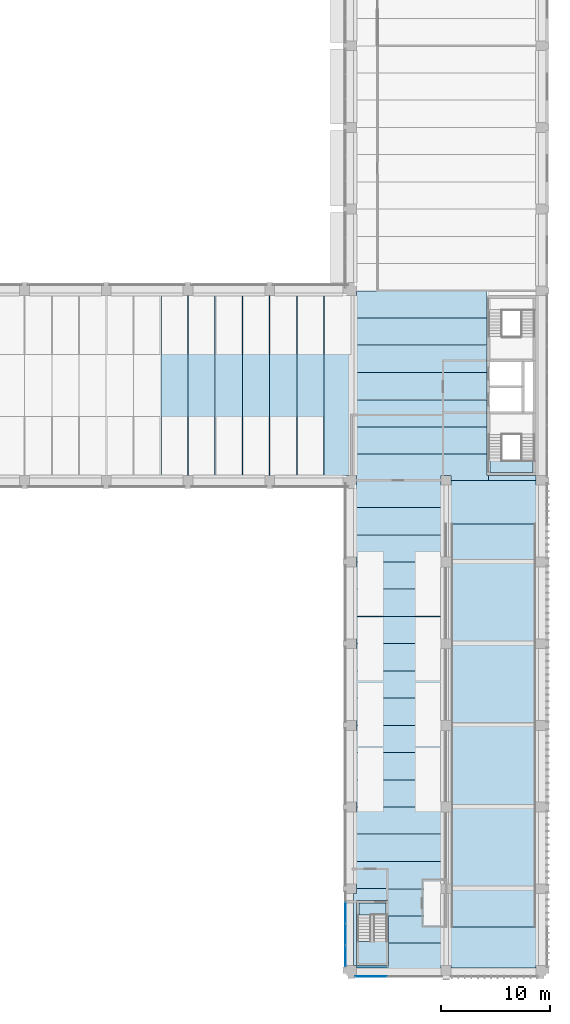
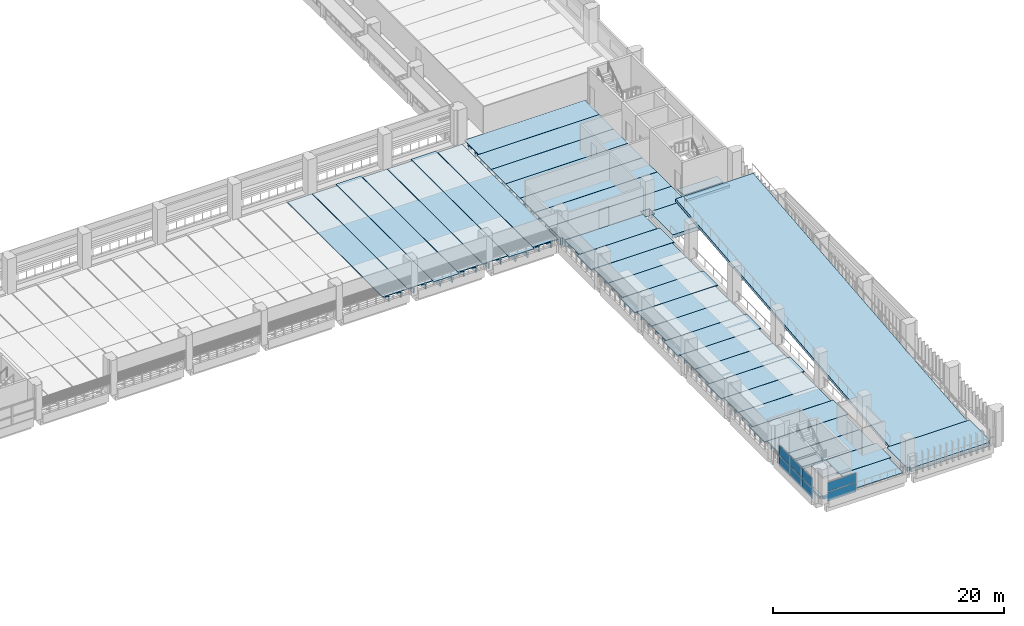
# One storey, part 26 of 57: 41 slabs, 8 plates, 3 elements without a shape of their own.
"""IFC4 building model written with IfcOpenShell, lengths in metres."""

from ifc_helpers import new_model, si_unit, direction, frame, origin, origin_2d, place, context, subcontext, project, spatial, polyline, rectangle, outline, extrude, material, layer, layer_set, material_profile, profile_set, type_object, element, aggregate, save


model = new_model("IFC4")

# Units and contexts
model_context = context("Model", 3, precision=1e-05, world=origin(), true_north=direction((0.0, 1.0)))
body_context = subcontext(model_context, "Body", "Model", "MODEL_VIEW")
ifc_project = project(units=[si_unit("LENGTHUNIT", "METRE"), si_unit("AREAUNIT", "SQUARE_METRE"), si_unit("VOLUMEUNIT", "CUBIC_METRE"), si_unit("PLANEANGLEUNIT", "RADIAN"), si_unit("MASSUNIT", "GRAM", prefix="KILO")], contexts=[model_context])

# Site, building, storey
site_placement = place(None, origin())
site = spatial("IfcSite", under=ifc_project, at=site_placement, CompositionType="ELEMENT")
building_placement = place(site_placement, origin())
building = spatial("IfcBuilding", under=site, at=building_placement, Name="Cour d'Honneur Mobility Palace", CompositionType="ELEMENT")
storey_placement = place(building_placement, frame((0.0, 0.0, 8.199951171875)))
storey = spatial("IfcBuildingStorey", under=building, at=storey_placement, Name="L02", CompositionType="ELEMENT", Elevation=8.199951171875)

# Slabs
ifc_material_1 = material(Name="Concrete C50", Category="concrete")
ifc_layer_1 = layer(ifc_material_1, 0.25)
ifc_layer_set_1 = layer_set([ifc_layer_1], Name="Concrete C50")
slab_type_1 = type_object("IfcSlabType", Name="Cast-in-place Slab 250", PredefinedType="FLOOR", material=ifc_layer_set_1)
slab_1_placement = place(storey_placement, frame((0.0, 0.0, -0.25)))
element("IfcSlab", 1, at=slab_1_placement, inside=storey, type_object=slab_type_1, Name="Cast-in-place slab S1 L02 core", PredefinedType="FLOOR", context=body_context, shape_type="SweptSolid", body=[
    extrude(outline(polyline([(161.85009765625, 45.0), (157.5, 45.0), (157.5, 45.449951171875), (161.85009765625, 45.449951171875), (161.85009765625, 45.0)])), origin(), (0.0, 0.0, 1.0), 0.25),
])
slab_2_placement = place(storey_placement, frame((0.0, 0.0, -0.25)))
element("IfcSlab", 2, at=slab_2_placement, inside=storey, type_object=slab_type_1, Name="Cast-in-place slab S1 L02 core", PredefinedType="FLOOR", context=body_context, shape_type="SweptSolid", body=[
    extrude(outline(polyline([(157.625, 46.77490234375), (161.60009765625, 46.77490234375), (161.60009765625, 45.699951171875), (157.625, 45.699951171875), (157.625, 46.77490234375)])), origin(), (0.0, 0.0, 1.0), 0.25),
])
slab_3_placement = place(storey_placement, frame((0.0, 0.0, -0.25)))
element("IfcSlab", 3, at=slab_3_placement, inside=storey, type_object=slab_type_1, Name="Cast-in-place slab S1 L02 stair strip", PredefinedType="FLOOR", context=body_context, shape_type="SweptSolid", body=[
    extrude(outline(polyline([(145.35009765625, 0.449951171875), (148.199951171875, 0.449951171875), (148.199951171875, 0.22509765625), (145.35009765625, 0.22509765625), (145.35009765625, 0.449951171875)])), origin(), (0.0, 0.0, 1.0), 0.25),
])
slab_4_placement = place(storey_placement, frame((0.0, 0.0, -0.25)))
element("IfcSlab", 4, at=slab_4_placement, inside=storey, type_object=slab_type_1, Name="Cast-in-place slab S1 L02 stair strip", PredefinedType="FLOOR", context=body_context, shape_type="SweptSolid", body=[
    extrude(outline(polyline([(145.35009765625, 6.425048828125), (145.35009765625, 0.449951171875), (145.10009765625, 0.449951171875), (145.10009765625, 7.050048828125), (145.35009765625, 7.050048828125), (145.35009765625, 7.5), (148.199951171875, 7.5), (148.199951171875, 6.425048828125), (145.35009765625, 6.425048828125)])), origin(), (0.0, 0.0, 1.0), 0.25),
])
slab_5_placement = place(storey_placement, frame((0.0, 0.0, -0.25)))
element("IfcSlab", 5, at=slab_5_placement, inside=storey, type_object=slab_type_1, Name="Cast-in-place slab S1 L02 stair strip", PredefinedType="FLOOR", context=body_context, shape_type="SweptSolid", body=[
    extrude(outline(polyline([(145.60009765625, 5.10009765625), (145.60009765625, 6.175048828125), (148.074951171875, 6.175048828125), (148.074951171875, 5.10009765625), (145.60009765625, 5.10009765625)])), origin(), (0.0, 0.0, 1.0), 0.25),
])
ifc_material_2 = material(Name="Concrete C50", Category="concrete")
ifc_layer_2 = layer(ifc_material_2, 0.39990234375)
ifc_layer_set_2 = layer_set([ifc_layer_2], Name="Concrete C50")
slab_type_2 = type_object("IfcSlabType", Name="Cast-in-place Slab 400", PredefinedType="LANDING", material=ifc_layer_set_2)
slab_6_placement = place(storey_placement, frame((0.0, 0.0, -0.39990234375)))
element("IfcSlab", 6, at=slab_6_placement, inside=storey, type_object=slab_type_2, Name="Cast-in-place slab S3 L02 landing", PredefinedType="LANDING", context=body_context, shape_type="SweptSolid", body=[
    extrude(outline(polyline([(161.85009765625, 0.449951171875), (161.85009765625, 0.22509765625), (154.050048828125, 0.22509765625), (154.050048828125, 0.449951171875), (153.800048828125, 0.449951171875), (153.800048828125, 4.0), (162.10009765625, 4.0), (162.10009765625, 0.449951171875), (161.85009765625, 0.449951171875)])), origin(), (0.0, 0.0, 1.0), 0.39990234375),
])
slab_7_placement = place(storey_placement, frame((0.0, 0.0, -0.39990234375)))
element("IfcSlab", 7, at=slab_7_placement, inside=storey, type_object=slab_type_2, Name="Cast-in-place slab S3 L02 landing", PredefinedType="LANDING", context=body_context, shape_type="SweptSolid", body=[
    extrude(outline(polyline([(162.10009765625, 44.550048828125), (162.10009765625, 41.0), (153.800048828125, 41.0), (153.800048828125, 44.550048828125), (154.050048828125, 44.550048828125), (154.050048828125, 45.0), (161.85009765625, 45.0), (161.85009765625, 44.550048828125), (162.10009765625, 44.550048828125)])), origin(), (0.0, 0.0, 1.0), 0.39990234375),
])
ifc_material_3 = material(Name="Concrete C50", Category="concrete")
ifc_layer_3 = layer(ifc_material_3, 0.800048828125)
ifc_layer_set_3 = layer_set([ifc_layer_3], Name="Concrete C50")
slab_type_3 = type_object("IfcSlabType", Name="Cast-in-place Slab 800", PredefinedType="FLOOR", material=ifc_layer_set_3)
slab_8_placement = place(storey_placement, frame((0.0, 0.0, -0.800048828125)))
element("IfcSlab", 8, at=slab_8_placement, inside=storey, type_object=slab_type_3, Name="Cast-in-place slab S2 L02 closure", PredefinedType="FLOOR", context=body_context, shape_type="SweptSolid", body=[
    extrude(outline(polyline([(154.050048828125, 45.449951171875), (153.14990234375, 45.449951171875), (153.14990234375, 45.0), (145.35009765625, 45.0), (145.35009765625, 45.449951171875), (145.14990234375, 45.449951171875), (145.14990234375, 47.39990234375), (157.375, 47.39990234375), (157.375, 45.449951171875), (157.5, 45.449951171875), (157.5, 45.0), (154.050048828125, 45.0), (154.050048828125, 45.449951171875)])), origin(), (0.0, 0.0, 1.0), 0.800048828125),
])

# Curtain wall, plates
ifc_material_4 = material(Name="Aluminium and glass", Category="aluminium")
ifc_layer_4 = layer(ifc_material_4, 0.10009765625)
ifc_layer_set_4 = layer_set([ifc_layer_4], Name="Aluminium and glass")
curtain_wall_type = type_object("IfcCurtainWallType", Name="Curtain wall run", PredefinedType="NOTDEFINED", material=ifc_layer_set_4)
curtain_wall_1_placement = place(storey_placement, origin())
curtain_wall_1 = element("IfcCurtainWall", 9, at=curtain_wall_1_placement, inside=storey, type_object=curtain_wall_type, Name="Curtain wall CW-137", PredefinedType="NOTDEFINED")
ifc_material_5 = material(Name="Double glazing", Category="glass")
ifc_layer_5 = layer(ifc_material_5, 0.028076171875)
ifc_layer_set_5 = layer_set([ifc_layer_5], Name="Double glazing")
plate_type = type_object("IfcPlateType", Name="Curtain wall panel", PredefinedType="CURTAIN_PANEL", material=ifc_layer_set_5)
plate_1_placement = place(storey_placement, frame((144.35009765625, 5.284912109375, 0.06005859375), z_axis=(0.0, 0.0, 1.0), x_axis=(0.0, -1.0, 0.0)))
plate_1 = element("IfcPlate", 10, at=plate_1_placement, type_object=plate_type, Name="CW-137 panel 1.1", PredefinedType="CURTAIN_PANEL", context=body_context, shape_type="SweptSolid", body=[
    extrude(rectangle(XDim=1.909912109375, YDim=0.028076171875, at=origin_2d()), origin(), (0.0, 0.0, 1.0), 1.06005859375),
])
plate_2_placement = place(storey_placement, frame((144.35009765625, 5.284912109375, 1.179931640625), z_axis=(0.0, 0.0, 1.0), x_axis=(0.0, -1.0, 0.0)))
plate_2 = element("IfcPlate", 11, at=plate_2_placement, type_object=plate_type, Name="CW-137 panel 1.2", PredefinedType="CURTAIN_PANEL", context=body_context, shape_type="SweptSolid", body=[
    extrude(rectangle(XDim=1.909912109375, YDim=0.028076171875, at=origin_2d()), origin(), (0.0, 0.0, 1.0), 1.06005859375),
])
plate_3_placement = place(storey_placement, frame((144.35009765625, 3.300048828125, 0.06005859375), z_axis=(0.0, 0.0, 1.0), x_axis=(0.0, -1.0, 0.0)))
plate_3 = element("IfcPlate", 12, at=plate_3_placement, type_object=plate_type, Name="CW-137 panel 2.1", PredefinedType="CURTAIN_PANEL", context=body_context, shape_type="SweptSolid", body=[
    extrude(rectangle(XDim=1.93994140625, YDim=0.028076171875, at=origin_2d()), origin(), (0.0, 0.0, 1.0), 1.06005859375),
])
plate_4_placement = place(storey_placement, frame((144.35009765625, 3.300048828125, 1.179931640625), z_axis=(0.0, 0.0, 1.0), x_axis=(0.0, -1.0, 0.0)))
plate_4 = element("IfcPlate", 13, at=plate_4_placement, type_object=plate_type, Name="CW-137 panel 2.2", PredefinedType="CURTAIN_PANEL", context=body_context, shape_type="SweptSolid", body=[
    extrude(rectangle(XDim=1.93994140625, YDim=0.028076171875, at=origin_2d()), origin(), (0.0, 0.0, 1.0), 1.06005859375),
])
plate_5_placement = place(storey_placement, frame((144.35009765625, 1.31494140625, 0.06005859375), z_axis=(0.0, 0.0, 1.0), x_axis=(0.0, -1.0, 0.0)))
plate_5 = element("IfcPlate", 14, at=plate_5_placement, type_object=plate_type, Name="CW-137 panel 3.1", PredefinedType="CURTAIN_PANEL", context=body_context, shape_type="SweptSolid", body=[
    extrude(rectangle(XDim=1.909912109375, YDim=0.028076171875, at=origin_2d()), origin(), (0.0, 0.0, 1.0), 1.06005859375),
])
plate_6_placement = place(storey_placement, frame((144.35009765625, 1.31494140625, 1.179931640625), z_axis=(0.0, 0.0, 1.0), x_axis=(0.0, -1.0, 0.0)))
plate_6 = element("IfcPlate", 15, at=plate_6_placement, type_object=plate_type, Name="CW-137 panel 3.2", PredefinedType="CURTAIN_PANEL", context=body_context, shape_type="SweptSolid", body=[
    extrude(rectangle(XDim=1.909912109375, YDim=0.028076171875, at=origin_2d()), origin(), (0.0, 0.0, 1.0), 1.06005859375),
])
aggregate(curtain_wall_1, [plate_1, plate_2, plate_3, plate_4, plate_5, plate_6])

curtain_wall_2_placement = place(storey_placement, origin())
curtain_wall_2 = element("IfcCurtainWall", 16, at=curtain_wall_2_placement, inside=storey, type_object=curtain_wall_type, Name="Curtain wall CW-138", PredefinedType="NOTDEFINED")
plate_7_placement = place(storey_placement, frame((146.699951171875, -0.550048828125, 0.06005859375), z_axis=(0.0, 0.0, 1.0), x_axis=(1.0, 0.0, 0.0)))
plate_7 = element("IfcPlate", 17, at=plate_7_placement, type_object=plate_type, Name="CW-138 panel 1.1", PredefinedType="CURTAIN_PANEL", context=body_context, shape_type="SweptSolid", body=[
    extrude(rectangle(XDim=2.8798828125, YDim=0.028076171875, at=origin_2d()), origin(), (0.0, 0.0, 1.0), 0.9599609375),
])
plate_8_placement = place(storey_placement, frame((146.699951171875, -0.550048828125, 1.080078125), z_axis=(0.0, 0.0, 1.0), x_axis=(1.0, 0.0, 0.0)))
plate_8 = element("IfcPlate", 18, at=plate_8_placement, type_object=plate_type, Name="CW-138 panel 1.2", PredefinedType="CURTAIN_PANEL", context=body_context, shape_type="SweptSolid", body=[
    extrude(rectangle(XDim=2.8798828125, YDim=0.028076171875, at=origin_2d()), origin(), (0.0, 0.0, 1.0), 0.9599609375),
])
aggregate(curtain_wall_2, [plate_7, plate_8])

# Slabs
ifc_material_6 = material(Name="Concrete C45", Category="concrete")
ifc_material_profile_1 = material_profile(ifc_material_6, outline(polyline([(-1.2451171875, 0.0), (1.2451171875, 0.0), (1.2451171875, -0.074951171875), (0.659912109375, -0.074951171875), (0.639892578125, -0.39990234375), (0.56005859375, -0.39990234375), (0.5400390625, -0.074951171875), (-0.5400390625, -0.074951171875), (-0.56005859375, -0.39990234375), (-0.639892578125, -0.39990234375), (-0.659912109375, -0.074951171875), (-1.2451171875, -0.074951171875), (-1.2451171875, 0.0)])), Name="DT 2490x400")
ifc_profile_set_1 = profile_set([ifc_material_profile_1], Name="Concrete C45")
slab_type_4 = type_object("IfcSlabType", Name="DT 2490x400", PredefinedType="FLOOR", material=ifc_profile_set_1)
slab_9_placement = place(storey_placement, frame((148.324951171875, 1.25, 0.0), z_axis=(1.0, 0.0, 0.0), x_axis=(0.0, 1.0, 0.0)))
element("IfcSlab", 19, at=slab_9_placement, inside=storey, type_object=slab_type_4, Name="Double tee DT-SE1 L02", PredefinedType="FLOOR", context=body_context, shape_type="SweptSolid", body=[
    extrude(outline(polyline([(-1.2451171875, 0.0), (1.2451171875, 0.0), (1.2451171875, -0.074951171875), (0.659912109375, -0.074951171875), (0.639892578125, -0.39990234375), (0.56005859375, -0.39990234375), (0.5400390625, -0.074951171875), (-0.5400390625, -0.074951171875), (-0.56005859375, -0.39990234375), (-0.639892578125, -0.39990234375), (-0.659912109375, -0.074951171875), (-1.2451171875, -0.074951171875), (-1.2451171875, 0.0)])), origin(), (0.0, 0.0, 1.0), 4.824951171875),
])
slab_10_placement = place(storey_placement, frame((148.324951171875, 3.75, 0.0), z_axis=(1.0, 0.0, 0.0), x_axis=(0.0, 1.0, 0.0)))
element("IfcSlab", 20, at=slab_10_placement, inside=storey, type_object=slab_type_4, Name="Double tee DT-SE2 L02", PredefinedType="FLOOR", context=body_context, shape_type="SweptSolid", body=[
    extrude(outline(polyline([(-1.2451171875, 0.0), (1.2451171875, 0.0), (1.2451171875, -0.074951171875), (0.659912109375, -0.074951171875), (0.639892578125, -0.39990234375), (0.56005859375, -0.39990234375), (0.5400390625, -0.074951171875), (-0.5400390625, -0.074951171875), (-0.56005859375, -0.39990234375), (-0.639892578125, -0.39990234375), (-0.659912109375, -0.074951171875), (-1.2451171875, -0.074951171875), (-1.2451171875, 0.0)])), origin(), (0.0, 0.0, 1.0), 5.074951171875),
])
slab_11_placement = place(storey_placement, frame((148.199951171875, 6.25, 0.0), z_axis=(1.0, 0.0, 0.0), x_axis=(0.0, 1.0, 0.0)))
element("IfcSlab", 21, at=slab_11_placement, inside=storey, type_object=slab_type_4, Name="Double tee DT-SE3 L02", PredefinedType="FLOOR", context=body_context, shape_type="SweptSolid", body=[
    extrude(outline(polyline([(-1.2451171875, 0.0), (1.2451171875, 0.0), (1.2451171875, -0.074951171875), (0.659912109375, -0.074951171875), (0.639892578125, -0.39990234375), (0.56005859375, -0.39990234375), (0.5400390625, -0.074951171875), (-0.5400390625, -0.074951171875), (-0.56005859375, -0.39990234375), (-0.639892578125, -0.39990234375), (-0.659912109375, -0.074951171875), (-1.2451171875, -0.074951171875), (-1.2451171875, 0.0)])), origin(), (0.0, 0.0, 1.0), 4.949951171875),
])
ifc_material_7 = material(Name="Concrete C45", Category="concrete")
ifc_material_profile_2 = material_profile(ifc_material_7, outline(polyline([(-1.2451171875, 0.0), (1.2451171875, 0.0), (1.2451171875, -0.10009765625), (0.669921875, -0.10009765625), (0.64501953125, -0.5), (0.554931640625, -0.5), (0.530029296875, -0.10009765625), (-0.530029296875, -0.10009765625), (-0.554931640625, -0.5), (-0.64501953125, -0.5), (-0.669921875, -0.10009765625), (-1.2451171875, -0.10009765625), (-1.2451171875, 0.0)])), Name="DT 2490x500")
ifc_profile_set_2 = profile_set([ifc_material_profile_2], Name="Concrete C45")
slab_type_5 = type_object("IfcSlabType", Name="DT 2490x500", PredefinedType="FLOOR", material=ifc_profile_set_2)
slab_12_placement = place(storey_placement, frame((145.35009765625, 8.75, 0.0), z_axis=(1.0, 0.0, 0.0), x_axis=(0.0, 1.0, 0.0)))
element("IfcSlab", 22, at=slab_12_placement, inside=storey, type_object=slab_type_5, Name="Double tee DT-SE4 L02", PredefinedType="FLOOR", context=body_context, shape_type="SweptSolid", body=[
    extrude(outline(polyline([(-1.2451171875, 0.0), (1.2451171875, 0.0), (1.2451171875, -0.10009765625), (0.669921875, -0.10009765625), (0.64501953125, -0.5), (0.554931640625, -0.5), (0.530029296875, -0.10009765625), (-0.530029296875, -0.10009765625), (-0.554931640625, -0.5), (-0.64501953125, -0.5), (-0.669921875, -0.10009765625), (-1.2451171875, -0.10009765625), (-1.2451171875, 0.0)])), origin(), (0.0, 0.0, 1.0), 7.7998046875),
])
slab_13_placement = place(storey_placement, frame((145.10009765625, 11.25, 0.0), z_axis=(1.0, 0.0, 0.0), x_axis=(0.0, 1.0, 0.0)))
element("IfcSlab", 23, at=slab_13_placement, inside=storey, type_object=slab_type_5, Name="Double tee DT-SE5 L02", PredefinedType="FLOOR", context=body_context, shape_type="SweptSolid", body=[
    extrude(outline(polyline([(-1.2451171875, 0.0), (1.2451171875, 0.0), (1.2451171875, -0.10009765625), (0.669921875, -0.10009765625), (0.64501953125, -0.5), (0.554931640625, -0.5), (0.530029296875, -0.10009765625), (-0.530029296875, -0.10009765625), (-0.554931640625, -0.5), (-0.64501953125, -0.5), (-0.669921875, -0.10009765625), (-1.2451171875, -0.10009765625), (-1.2451171875, 0.0)])), origin(), (0.0, 0.0, 1.0), 8.2998046875),
])
for number, where, z_axis, x_axis, name in (
    (24, (145.35009765625, 13.75, 0.0), (1.0, 0.0, 0.0), (0.0, 1.0, 0.0), "Double tee DT-SE6 L02"),
    (25, (145.35009765625, 16.25, 0.0), (1.0, 0.0, 0.0), (0.0, 1.0, 0.0), "Double tee DT-SE7 L02"),
):
    element("IfcSlab", number, at=place(storey_placement, frame(where, z_axis=z_axis, x_axis=x_axis)), inside=storey, type_object=slab_type_5, Name=name, PredefinedType="FLOOR", context=body_context, shape_type="SweptSolid", body=[
        extrude(outline(polyline([(-1.2451171875, 0.0), (1.2451171875, 0.0), (1.2451171875, -0.10009765625), (0.669921875, -0.10009765625), (0.64501953125, -0.5), (0.554931640625, -0.5), (0.530029296875, -0.10009765625), (-0.530029296875, -0.10009765625), (-0.554931640625, -0.5), (-0.64501953125, -0.5), (-0.669921875, -0.10009765625), (-1.2451171875, -0.10009765625), (-1.2451171875, 0.0)])), origin(), (0.0, 0.0, 1.0), 7.7998046875),
    ])
slab_14_placement = place(storey_placement, frame((145.10009765625, 18.75, 0.0), z_axis=(1.0, 0.0, 0.0), x_axis=(0.0, 1.0, 0.0)))
element("IfcSlab", 26, at=slab_14_placement, inside=storey, type_object=slab_type_5, Name="Double tee DT-SE8 L02", PredefinedType="FLOOR", context=body_context, shape_type="SweptSolid", body=[
    extrude(outline(polyline([(-1.2451171875, 0.0), (1.2451171875, 0.0), (1.2451171875, -0.10009765625), (0.669921875, -0.10009765625), (0.64501953125, -0.5), (0.554931640625, -0.5), (0.530029296875, -0.10009765625), (-0.530029296875, -0.10009765625), (-0.554931640625, -0.5), (-0.64501953125, -0.5), (-0.669921875, -0.10009765625), (-1.2451171875, -0.10009765625), (-1.2451171875, 0.0)])), origin(), (0.0, 0.0, 1.0), 8.2998046875),
])
for number, where, z_axis, x_axis, name in (
    (27, (145.35009765625, 21.25, 0.0), (1.0, 0.0, 0.0), (0.0, 1.0, 0.0), "Double tee DT-SE9 L02"),
    (28, (145.35009765625, 23.75, 0.0), (1.0, 0.0, 0.0), (0.0, 1.0, 0.0), "Double tee DT-SE10 L02"),
):
    element("IfcSlab", number, at=place(storey_placement, frame(where, z_axis=z_axis, x_axis=x_axis)), inside=storey, type_object=slab_type_5, Name=name, PredefinedType="FLOOR", context=body_context, shape_type="SweptSolid", body=[
        extrude(outline(polyline([(-1.2451171875, 0.0), (1.2451171875, 0.0), (1.2451171875, -0.10009765625), (0.669921875, -0.10009765625), (0.64501953125, -0.5), (0.554931640625, -0.5), (0.530029296875, -0.10009765625), (-0.530029296875, -0.10009765625), (-0.554931640625, -0.5), (-0.64501953125, -0.5), (-0.669921875, -0.10009765625), (-1.2451171875, -0.10009765625), (-1.2451171875, 0.0)])), origin(), (0.0, 0.0, 1.0), 7.7998046875),
    ])
slab_15_placement = place(storey_placement, frame((145.10009765625, 26.25, 0.0), z_axis=(1.0, 0.0, 0.0), x_axis=(0.0, 1.0, 0.0)))
element("IfcSlab", 29, at=slab_15_placement, inside=storey, type_object=slab_type_5, Name="Double tee DT-SE11 L02", PredefinedType="FLOOR", context=body_context, shape_type="SweptSolid", body=[
    extrude(outline(polyline([(-1.2451171875, 0.0), (1.2451171875, 0.0), (1.2451171875, -0.10009765625), (0.669921875, -0.10009765625), (0.64501953125, -0.5), (0.554931640625, -0.5), (0.530029296875, -0.10009765625), (-0.530029296875, -0.10009765625), (-0.554931640625, -0.5), (-0.64501953125, -0.5), (-0.669921875, -0.10009765625), (-1.2451171875, -0.10009765625), (-1.2451171875, 0.0)])), origin(), (0.0, 0.0, 1.0), 8.2998046875),
])
for number, where, z_axis, x_axis, name in (
    (30, (145.35009765625, 28.75, 0.0), (1.0, 0.0, 0.0), (0.0, 1.0, 0.0), "Double tee DT-SE12 L02"),
    (31, (145.35009765625, 31.25, 0.0), (1.0, 0.0, 0.0), (0.0, 1.0, 0.0), "Double tee DT-SE13 L02"),
):
    element("IfcSlab", number, at=place(storey_placement, frame(where, z_axis=z_axis, x_axis=x_axis)), inside=storey, type_object=slab_type_5, Name=name, PredefinedType="FLOOR", context=body_context, shape_type="SweptSolid", body=[
        extrude(outline(polyline([(-1.2451171875, 0.0), (1.2451171875, 0.0), (1.2451171875, -0.10009765625), (0.669921875, -0.10009765625), (0.64501953125, -0.5), (0.554931640625, -0.5), (0.530029296875, -0.10009765625), (-0.530029296875, -0.10009765625), (-0.554931640625, -0.5), (-0.64501953125, -0.5), (-0.669921875, -0.10009765625), (-1.2451171875, -0.10009765625), (-1.2451171875, 0.0)])), origin(), (0.0, 0.0, 1.0), 7.7998046875),
    ])
slab_16_placement = place(storey_placement, frame((145.10009765625, 33.75, 0.0), z_axis=(1.0, 0.0, 0.0), x_axis=(0.0, 1.0, 0.0)))
element("IfcSlab", 32, at=slab_16_placement, inside=storey, type_object=slab_type_5, Name="Double tee DT-SE14 L02", PredefinedType="FLOOR", context=body_context, shape_type="SweptSolid", body=[
    extrude(outline(polyline([(-1.2451171875, 0.0), (1.2451171875, 0.0), (1.2451171875, -0.10009765625), (0.669921875, -0.10009765625), (0.64501953125, -0.5), (0.554931640625, -0.5), (0.530029296875, -0.10009765625), (-0.530029296875, -0.10009765625), (-0.554931640625, -0.5), (-0.64501953125, -0.5), (-0.669921875, -0.10009765625), (-1.2451171875, -0.10009765625), (-1.2451171875, 0.0)])), origin(), (0.0, 0.0, 1.0), 8.2998046875),
])
for number, where, z_axis, x_axis, name in (
    (33, (145.35009765625, 36.25, 0.0), (1.0, 0.0, 0.0), (0.0, 1.0, 0.0), "Double tee DT-SE15 L02"),
    (34, (145.35009765625, 38.75, 0.0), (1.0, 0.0, 0.0), (0.0, 1.0, 0.0), "Double tee DT-SE16 L02"),
):
    element("IfcSlab", number, at=place(storey_placement, frame(where, z_axis=z_axis, x_axis=x_axis)), inside=storey, type_object=slab_type_5, Name=name, PredefinedType="FLOOR", context=body_context, shape_type="SweptSolid", body=[
        extrude(outline(polyline([(-1.2451171875, 0.0), (1.2451171875, 0.0), (1.2451171875, -0.10009765625), (0.669921875, -0.10009765625), (0.64501953125, -0.5), (0.554931640625, -0.5), (0.530029296875, -0.10009765625), (-0.530029296875, -0.10009765625), (-0.554931640625, -0.5), (-0.64501953125, -0.5), (-0.669921875, -0.10009765625), (-1.2451171875, -0.10009765625), (-1.2451171875, 0.0)])), origin(), (0.0, 0.0, 1.0), 7.7998046875),
    ])
slab_17_placement = place(storey_placement, frame((145.10009765625, 41.25, 0.0), z_axis=(1.0, 0.0, 0.0), x_axis=(0.0, 1.0, 0.0)))
element("IfcSlab", 35, at=slab_17_placement, inside=storey, type_object=slab_type_5, Name="Double tee DT-SE17 L02", PredefinedType="FLOOR", context=body_context, shape_type="SweptSolid", body=[
    extrude(outline(polyline([(-1.2451171875, 0.0), (1.2451171875, 0.0), (1.2451171875, -0.10009765625), (0.669921875, -0.10009765625), (0.64501953125, -0.5), (0.554931640625, -0.5), (0.530029296875, -0.10009765625), (-0.530029296875, -0.10009765625), (-0.554931640625, -0.5), (-0.64501953125, -0.5), (-0.669921875, -0.10009765625), (-1.2451171875, -0.10009765625), (-1.2451171875, 0.0)])), origin(), (0.0, 0.0, 1.0), 8.2998046875),
])
slab_18_placement = place(storey_placement, frame((145.35009765625, 43.75, 0.0), z_axis=(1.0, 0.0, 0.0), x_axis=(0.0, 1.0, 0.0)))
element("IfcSlab", 36, at=slab_18_placement, inside=storey, type_object=slab_type_5, Name="Double tee DT-SE18 L02", PredefinedType="FLOOR", context=body_context, shape_type="SweptSolid", body=[
    extrude(outline(polyline([(-1.2451171875, 0.0), (1.2451171875, 0.0), (1.2451171875, -0.10009765625), (0.669921875, -0.10009765625), (0.64501953125, -0.5), (0.554931640625, -0.5), (0.530029296875, -0.10009765625), (-0.530029296875, -0.10009765625), (-0.554931640625, -0.5), (-0.64501953125, -0.5), (-0.669921875, -0.10009765625), (-1.2451171875, -0.10009765625), (-1.2451171875, 0.0)])), origin(), (0.0, 0.0, 1.0), 7.7998046875),
])
ifc_material_8 = material(Name="Concrete C45", Category="concrete")
ifc_material_profile_3 = material_profile(ifc_material_8, outline(polyline([(-1.2451171875, 0.0), (1.2451171875, 0.0), (1.2451171875, -0.10009765625), (0.679931640625, -0.10009765625), (0.64990234375, -0.64990234375), (0.550048828125, -0.64990234375), (0.52001953125, -0.10009765625), (-0.52001953125, -0.10009765625), (-0.550048828125, -0.64990234375), (-0.64990234375, -0.64990234375), (-0.679931640625, -0.10009765625), (-1.2451171875, -0.10009765625), (-1.2451171875, 0.0)])), Name="DT 2490x650")
ifc_profile_set_3 = profile_set([ifc_material_profile_3], Name="Concrete C45")
slab_type_6 = type_object("IfcSlabType", Name="DT 2490x650", PredefinedType="FLOOR", material=ifc_profile_set_3)
for number, where, z_axis, x_axis, name in (
    (37, (145.14990234375, 48.64990234375, 0.0), (1.0, 0.0, 0.0), (0.0, 1.0, 0.0), "Double tee DT-JE1 L02"),
    (38, (145.14990234375, 51.14990234375, 0.0), (1.0, 0.0, 0.0), (0.0, 1.0, 0.0), "Double tee DT-JE2 L02"),
    (39, (145.14990234375, 53.64990234375, 0.0), (1.0, 0.0, 0.0), (0.0, 1.0, 0.0), "Double tee DT-JE3 L02"),
    (40, (145.14990234375, 56.14990234375, 0.0), (1.0, 0.0, 0.0), (0.0, 1.0, 0.0), "Double tee DT-JE4 L02"),
    (41, (145.14990234375, 58.64990234375, 0.0), (1.0, 0.0, 0.0), (0.0, 1.0, 0.0), "Double tee DT-JE5 L02"),
):
    element("IfcSlab", number, at=place(storey_placement, frame(where, z_axis=z_axis, x_axis=x_axis)), inside=storey, type_object=slab_type_6, Name=name, PredefinedType="FLOOR", context=body_context, shape_type="SweptSolid", body=[
        extrude(outline(polyline([(-1.2451171875, 0.0), (1.2451171875, 0.0), (1.2451171875, -0.10009765625), (0.679931640625, -0.10009765625), (0.64990234375, -0.64990234375), (0.550048828125, -0.64990234375), (0.52001953125, -0.10009765625), (-0.52001953125, -0.10009765625), (-0.550048828125, -0.64990234375), (-0.64990234375, -0.64990234375), (-0.679931640625, -0.10009765625), (-1.2451171875, -0.10009765625), (-1.2451171875, 0.0)])), origin(), (0.0, 0.0, 1.0), 12.22509765625),
    ])
slab_19_placement = place(storey_placement, frame((145.35009765625, 61.14990234375, 0.0), z_axis=(1.0, 0.0, 0.0), x_axis=(0.0, 1.0, 0.0)))
element("IfcSlab", 42, at=slab_19_placement, inside=storey, type_object=slab_type_6, Name="Double tee DT-JE6 L02", PredefinedType="FLOOR", context=body_context, shape_type="SweptSolid", body=[
    extrude(outline(polyline([(-1.2451171875, 0.0), (1.2451171875, 0.0), (1.2451171875, -0.10009765625), (0.679931640625, -0.10009765625), (0.64990234375, -0.64990234375), (0.550048828125, -0.64990234375), (0.52001953125, -0.10009765625), (-0.52001953125, -0.10009765625), (-0.550048828125, -0.64990234375), (-0.64990234375, -0.64990234375), (-0.679931640625, -0.10009765625), (-1.2451171875, -0.10009765625), (-1.2451171875, 0.0)])), origin(), (0.0, 0.0, 1.0), 12.02490234375),
])
ifc_material_9 = material(Name="Concrete C45", Category="concrete")
ifc_material_profile_4 = material_profile(ifc_material_9, outline(polyline([(-1.2451171875, 0.0), (1.2451171875, 0.0), (1.2451171875, -0.10009765625), (0.679931640625, -0.10009765625), (0.64990234375, -0.75), (0.550048828125, -0.75), (0.52001953125, -0.10009765625), (-0.52001953125, -0.10009765625), (-0.550048828125, -0.75), (-0.64990234375, -0.75), (-0.679931640625, -0.10009765625), (-1.2451171875, -0.10009765625), (-1.2451171875, 0.0)])), Name="DT 2490x750")
ifc_profile_set_4 = profile_set([ifc_material_profile_4], Name="Concrete C45")
slab_type_7 = type_object("IfcSlabType", Name="DT 2490x750", PredefinedType="FLOOR", material=ifc_profile_set_4)
for number, where, z_axis, x_axis, name in (
    (43, (128.64990234375, 45.449951171875, 0.0), (0.0, 1.0, 0.0), (-1.0, 0.0, 0.0), "Double tee DT-C45 L02"),
    (44, (131.14990234375, 45.449951171875, 0.0), (0.0, 1.0, 0.0), (-1.0, 0.0, 0.0), "Double tee DT-C46 L02"),
):
    element("IfcSlab", number, at=place(storey_placement, frame(where, z_axis=z_axis, x_axis=x_axis)), inside=storey, type_object=slab_type_7, Name=name, PredefinedType="FLOOR", context=body_context, shape_type="SweptSolid", body=[
        extrude(outline(polyline([(-1.2451171875, 0.0), (1.2451171875, 0.0), (1.2451171875, -0.10009765625), (0.679931640625, -0.10009765625), (0.64990234375, -0.75), (0.550048828125, -0.75), (0.52001953125, -0.10009765625), (-0.52001953125, -0.10009765625), (-0.550048828125, -0.75), (-0.64990234375, -0.75), (-0.679931640625, -0.10009765625), (-1.2451171875, -0.10009765625), (-1.2451171875, 0.0)])), origin(), (0.0, 0.0, 1.0), 16.5),
    ])
slab_20_placement = place(storey_placement, frame((133.64990234375, 45.199951171875, 0.0), z_axis=(0.0, 1.0, 0.0), x_axis=(-1.0, 0.0, 0.0)))
element("IfcSlab", 45, at=slab_20_placement, inside=storey, type_object=slab_type_7, Name="Double tee DT-C47 L02", PredefinedType="FLOOR", context=body_context, shape_type="SweptSolid", body=[
    extrude(outline(polyline([(-1.2451171875, 0.0), (1.2451171875, 0.0), (1.2451171875, -0.10009765625), (0.679931640625, -0.10009765625), (0.64990234375, -0.75), (0.550048828125, -0.75), (0.52001953125, -0.10009765625), (-0.52001953125, -0.10009765625), (-0.550048828125, -0.75), (-0.64990234375, -0.75), (-0.679931640625, -0.10009765625), (-1.2451171875, -0.10009765625), (-1.2451171875, 0.0)])), origin(), (0.0, 0.0, 1.0), 17.0),
])
for number, where, z_axis, x_axis, name in (
    (46, (136.14990234375, 45.449951171875, 0.0), (0.0, 1.0, 0.0), (-1.0, 0.0, 0.0), "Double tee DT-C48 L02"),
    (47, (138.64990234375, 45.449951171875, 0.0), (0.0, 1.0, 0.0), (-1.0, 0.0, 0.0), "Double tee DT-C49 L02"),
):
    element("IfcSlab", number, at=place(storey_placement, frame(where, z_axis=z_axis, x_axis=x_axis)), inside=storey, type_object=slab_type_7, Name=name, PredefinedType="FLOOR", context=body_context, shape_type="SweptSolid", body=[
        extrude(outline(polyline([(-1.2451171875, 0.0), (1.2451171875, 0.0), (1.2451171875, -0.10009765625), (0.679931640625, -0.10009765625), (0.64990234375, -0.75), (0.550048828125, -0.75), (0.52001953125, -0.10009765625), (-0.52001953125, -0.10009765625), (-0.550048828125, -0.75), (-0.64990234375, -0.75), (-0.679931640625, -0.10009765625), (-1.2451171875, -0.10009765625), (-1.2451171875, 0.0)])), origin(), (0.0, 0.0, 1.0), 16.5),
    ])
slab_21_placement = place(storey_placement, frame((141.14990234375, 45.199951171875, 0.0), z_axis=(0.0, 1.0, 0.0), x_axis=(-1.0, 0.0, 0.0)))
element("IfcSlab", 48, at=slab_21_placement, inside=storey, type_object=slab_type_7, Name="Double tee DT-C50 L02", PredefinedType="FLOOR", context=body_context, shape_type="SweptSolid", body=[
    extrude(outline(polyline([(-1.2451171875, 0.0), (1.2451171875, 0.0), (1.2451171875, -0.10009765625), (0.679931640625, -0.10009765625), (0.64990234375, -0.75), (0.550048828125, -0.75), (0.52001953125, -0.10009765625), (-0.52001953125, -0.10009765625), (-0.550048828125, -0.75), (-0.64990234375, -0.75), (-0.679931640625, -0.10009765625), (-1.2451171875, -0.10009765625), (-1.2451171875, 0.0)])), origin(), (0.0, 0.0, 1.0), 17.0),
])
slab_22_placement = place(storey_placement, frame((143.64990234375, 45.449951171875, 0.0), z_axis=(0.0, 1.0, 0.0), x_axis=(-1.0, 0.0, 0.0)))
element("IfcSlab", 49, at=slab_22_placement, inside=storey, type_object=slab_type_7, Name="Double tee DT-C51 L02", PredefinedType="FLOOR", context=body_context, shape_type="SweptSolid", body=[
    extrude(outline(polyline([(-1.2451171875, 0.0), (1.2451171875, 0.0), (1.2451171875, -0.10009765625), (0.679931640625, -0.10009765625), (0.64990234375, -0.75), (0.550048828125, -0.75), (0.52001953125, -0.10009765625), (-0.52001953125, -0.10009765625), (-0.550048828125, -0.75), (-0.64990234375, -0.75), (-0.679931640625, -0.10009765625), (-1.2451171875, -0.10009765625), (-1.2451171875, 0.0)])), origin(), (0.0, 0.0, 1.0), 16.5),
])

# Stair, slab
ifc_material_10 = material(Name="Concrete C50", Category="concrete")
stair_type = type_object("IfcStairType", Name="Stair 20 risers", PredefinedType="HALF_TURN_STAIR", material=ifc_material_10)
stair_placement = place(storey_placement, origin())
stair = element("IfcStair", 50, at=stair_placement, inside=storey, type_object=stair_type, Name="Stair ST-RE1", PredefinedType="HALF_TURN_STAIR")
ifc_material_11 = material(Name="Concrete C50", Category="concrete")
ifc_layer_6 = layer(ifc_material_11, 0.199951171875)
ifc_layer_set_6 = layer_set([ifc_layer_6], Name="Concrete C50")
slab_type_8 = type_object("IfcSlabType", Name="Stair landing", PredefinedType="LANDING", material=ifc_layer_set_6)
slab_23_placement = place(storey_placement, frame((0.0, 0.0, 1.650146484375)))
slab_23 = element("IfcSlab", 51, at=slab_23_placement, type_object=slab_type_8, Name="ST-RE1 landing 1", PredefinedType="LANDING", context=body_context, shape_type="SweptSolid", body=[
    extrude(outline(polyline([(145.47509765625, 0.574951171875), (148.199951171875, 0.574951171875), (148.199951171875, 2.669921875), (145.47509765625, 2.669921875), (145.47509765625, 0.574951171875)])), origin(), (0.0, 0.0, 1.0), 0.199951171875),
])
aggregate(stair, [slab_23])

# Slab
ifc_material_12 = material(Name="Concrete C45", Category="concrete")
ifc_layer_7 = layer(ifc_material_12, 0.300048828125)
ifc_layer_set_7 = layer_set([ifc_layer_7], Name="Concrete C45")
slab_type_9 = type_object("IfcSlabType", Name="Vehicle ramp slab 300", PredefinedType="USERDEFINED", material=ifc_layer_set_7)
slab_24_placement = place(storey_placement, frame((154.10009765625, 4.0, 0.0), z_axis=(0.0, -0.099502418892, 0.995037320222), x_axis=(1.0, 0.0, 0.0)))
element("IfcSlab", 52, at=slab_24_placement, inside=storey, type_object=slab_type_9, Name="Vehicle ramp East 3 slab", ObjectType="VEHICLE RAMP SLAB", PredefinedType="USERDEFINED", context=body_context, shape_type="SweptSolid", body=[
    extrude(outline(polyline([(0.0, 0.0), (7.75, 0.0), (7.75, 37.184534939599004), (0.0, 37.184534939599004), (0.0, 0.0)])), origin(), (0.0, 0.0, -1.0), 0.300048828125),
])

save(model, "model.ifc")
